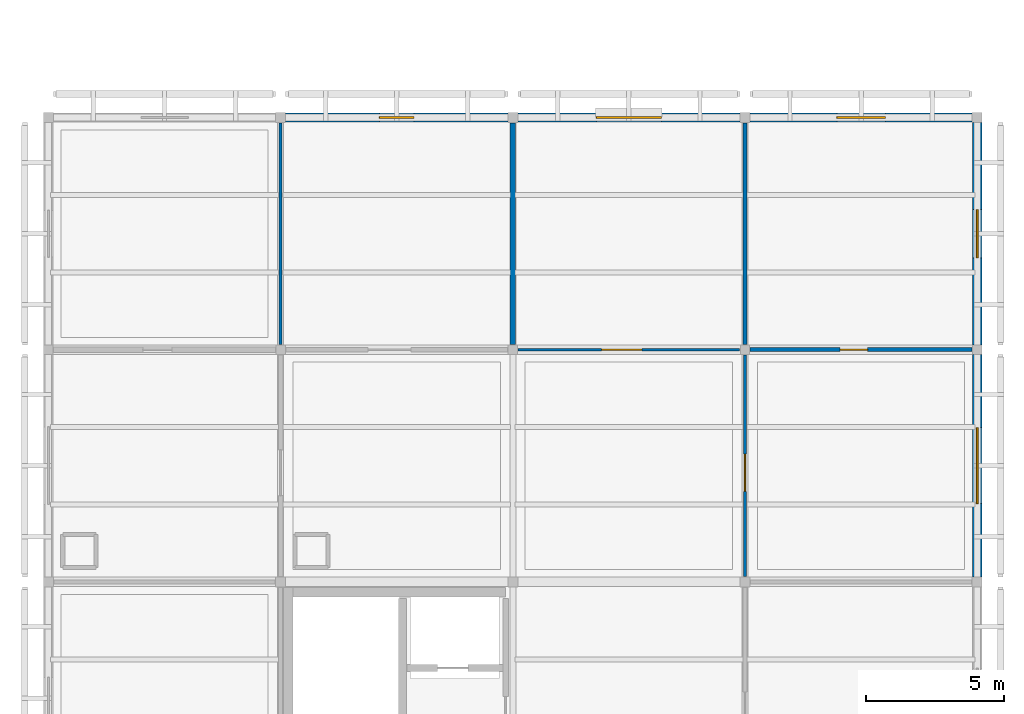
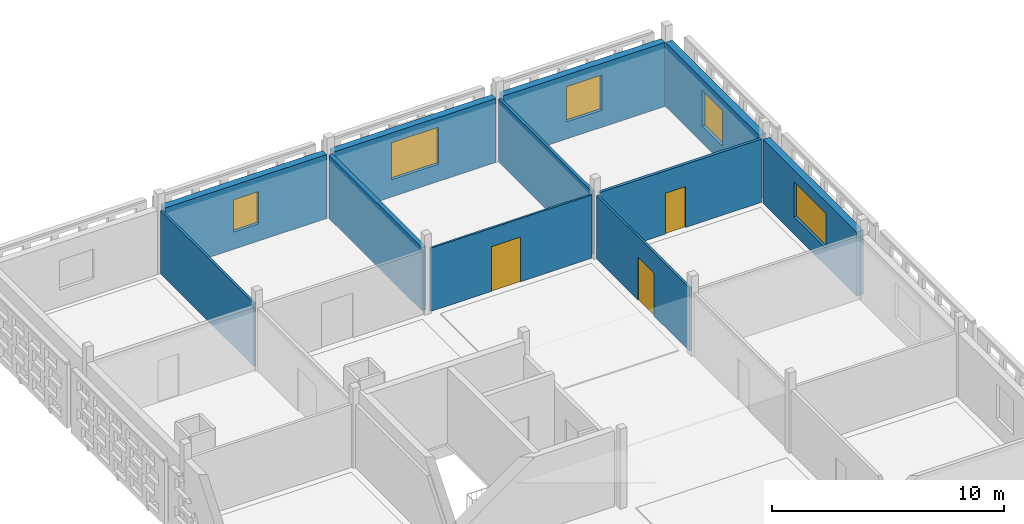
# One storey, part 76 of 103: 11 walls, 5 windows, 3 doors, 8 openings.
"""IFC4 building model written with IfcOpenShell, lengths in metres."""

from ifc_helpers import new_model, si_unit, direction, frame, frame_2d, origin, place, context, subcontext, project, spatial, rectangle, extrude, material, layer, layer_set, type_object, element, fill, save


model = new_model("IFC4")

# Units and contexts
model_context = context("Model", 3, precision=1e-05, world=origin(), true_north=direction((0.0, 1.0)))
body_context = subcontext(model_context, "Body", "Model", "MODEL_VIEW")
ifc_project = project(units=[si_unit("LENGTHUNIT", "METRE"), si_unit("AREAUNIT", "SQUARE_METRE"), si_unit("VOLUMEUNIT", "CUBIC_METRE"), si_unit("PLANEANGLEUNIT", "RADIAN"), si_unit("MASSUNIT", "GRAM", prefix="KILO")], contexts=[model_context])

# Site, building, storey
site_placement = place(None, origin())
site = spatial("IfcSite", under=ifc_project, at=site_placement, CompositionType="ELEMENT")
building_placement = place(site_placement, origin())
building = spatial("IfcBuilding", under=site, at=building_placement, Name="Varnapada Polytechnic", CompositionType="ELEMENT")
storey_placement = place(building_placement, frame((0.0, 0.0, 18.0)))
storey = spatial("IfcBuildingStorey", under=building, at=storey_placement, Name="L04", CompositionType="ELEMENT", Elevation=18.0)

# Wall, opening, door
ifc_material_1 = material(Name="Glazed Timber-Framed Studio Screen", Category="wood")
ifc_layer_1 = layer(ifc_material_1, 0.110107421875)
ifc_layer_set_1 = layer_set([ifc_layer_1], Name="Glazed Timber-Framed Studio Screen")
wall_type_1 = type_object("IfcWallType", Name="Interior Wall IW-07", PredefinedType="PARTITIONING", material=ifc_layer_set_1)
wall_1_placement = place(storey_placement, frame((168.0, 101.0, 0.0), z_axis=(0.0, 0.0, 1.0), x_axis=(0.0, 1.0, 0.0)))
wall_1 = element("IfcWall", 1, at=wall_1_placement, inside=storey, type_object=wall_type_1, Name="L04 interior partition IW-L04-19-12-V", PredefinedType="PARTITIONING", context=body_context, shape_type="SweptSolid", body=[
    extrude(rectangle(XDim=8.010009765625, YDim=0.110107421875, at=frame_2d((4.0048828125, 0.0))), origin(), (0.0, 0.0, 1.0), 3.320068359375),
])
opening_1_placement = place(wall_1_placement, frame((3.074951171875, 0.0, 0.0)))
opening_1 = element("IfcOpeningElement", 2, at=opening_1_placement, cuts=wall_1, Name="Opening D-1307", PredefinedType="OPENING", context=body_context, shape_type="SweptSolid", body=[
    extrude(rectangle(XDim=1.35009765625, YDim=2.25, at=frame_2d((0.675048828125, 1.125))), frame((0.0, 0.06494140625, 0.0), z_axis=(0.0, -1.0, 0.0), x_axis=(1.0, 0.0, 0.0)), (0.0, 0.0, 1.0), 0.130126953125),
])
ifc_material_2 = material(Name="Powder-Coated Aluminium 6063-T6", Category="aluminium")
door_type_1 = type_object("IfcDoorType", Name="Interior Door ID-17", OperationType="NOTDEFINED", PredefinedType="DOOR", material=ifc_material_2)
door_1_placement = place(opening_1_placement, frame((1.35009765625, 0.0, 0.0), z_axis=(0.0, 0.0, 1.0), x_axis=(-1.0, 0.0, 0.0)))
door_1 = element("IfcDoor", 3, at=door_1_placement, inside=storey, type_object=door_type_1, Name="L04 interior room door D-1307", OperationType="SINGLE_SWING_RIGHT", OverallHeight=2.25, OverallWidth=1.35009765625, PredefinedType="DOOR", context=body_context, shape_type="SweptSolid", body=[
    extrude(rectangle(XDim=1.35009765625, YDim=2.25, at=frame_2d((0.675048828125, 1.125))), frame((0.0, 0.02490234375, 0.0), z_axis=(0.0, -1.0, 0.0), x_axis=(1.0, 0.0, 0.0)), (0.0, 0.0, 1.0), 0.050048828125),
])
fill(opening_1, door_1)

ifc_material_3 = material(Name="Operable Acoustic Seminar Partition")
ifc_layer_2 = layer(ifc_material_3, 0.10009765625)
ifc_layer_set_2 = layer_set([ifc_layer_2], Name="Operable Acoustic Seminar Partition")
wall_type_2 = type_object("IfcWallType", Name="Interior Wall IW-08", PredefinedType="MOVABLE", material=ifc_layer_set_2)
wall_2_placement = place(storey_placement, frame((159.7900390625, 109.199951171875, 0.0), z_axis=(0.0, 0.0, 1.0), x_axis=(1.0, 0.0, 0.0)))
wall_2 = element("IfcWall", 4, at=wall_2_placement, inside=storey, type_object=wall_type_2, Name="L04 interior partition IW-L04-19-12-H", PredefinedType="MOVABLE", context=body_context, shape_type="SweptSolid", body=[
    extrude(rectangle(XDim=8.02001953125, YDim=0.10009765625, at=frame_2d((4.010009765625, 0.0))), origin(), (0.0, 0.0, 1.0), 3.320068359375),
])
opening_2_placement = place(wall_2_placement, frame((3.02490234375, 0.0, 0.0)))
opening_2 = element("IfcOpeningElement", 5, at=opening_2_placement, cuts=wall_2, Name="Opening D-1308", PredefinedType="OPENING", context=body_context, shape_type="SweptSolid", body=[
    extrude(rectangle(XDim=1.449951171875, YDim=2.35009765625, at=frame_2d((0.72509765625, 1.175048828125))), frame((0.0, 0.06005859375, 0.0), z_axis=(0.0, -1.0, 0.0), x_axis=(1.0, 0.0, 0.0)), (0.0, 0.0, 1.0), 0.1201171875),
])
ifc_material_4 = material(Name="Galvanized Steel Z275", Category="steel")
door_type_2 = type_object("IfcDoorType", Name="Interior Door ID-18", OperationType="NOTDEFINED", PredefinedType="DOOR", material=ifc_material_4)
door_2_placement = place(opening_2_placement, origin())
door_2 = element("IfcDoor", 6, at=door_2_placement, inside=storey, type_object=door_type_2, Name="L04 interior room door D-1308", OperationType="SINGLE_SWING_LEFT", OverallHeight=2.35009765625, OverallWidth=1.449951171875, PredefinedType="DOOR", context=body_context, shape_type="SweptSolid", body=[
    extrude(rectangle(XDim=1.449951171875, YDim=2.35009765625, at=frame_2d((0.72509765625, 1.175048828125))), frame((0.0, 0.02490234375, 0.0), z_axis=(0.0, -1.0, 0.0), x_axis=(1.0, 0.0, 0.0)), (0.0, 0.0, 1.0), 0.050048828125),
])
fill(opening_2, door_2)

# Walls
ifc_material_5 = material(Name="Calcium Silicate Acoustic Lab Partition")
ifc_layer_3 = layer(ifc_material_5, 0.135009765625)
ifc_layer_set_3 = layer_set([ifc_layer_3], Name="Calcium Silicate Acoustic Lab Partition")
wall_type_3 = type_object("IfcWallType", Name="Interior Wall IW-09", PredefinedType="PARTITIONING", material=ifc_layer_set_3)
wall_3_placement = place(storey_placement, frame((168.0, 109.389892578125, 0.0), z_axis=(0.0, 0.0, 1.0), x_axis=(0.0, 1.0, 0.0)))
element("IfcWall", 7, at=wall_3_placement, inside=storey, type_object=wall_type_3, Name="L04 interior partition IW-L04-19-13-V", PredefinedType="PARTITIONING", context=body_context, shape_type="SweptSolid", body=[
    extrude(rectangle(XDim=8.010009765625, YDim=0.135009765625, at=frame_2d((4.0048828125, 0.0))), origin(), (0.0, 0.0, 1.0), 3.320068359375),
])
ifc_material_6 = material(Name="Timber-Stud Studio Critique Partition", Category="wood")
ifc_layer_4 = layer(ifc_material_6, 0.114990234375)
ifc_layer_set_4 = layer_set([ifc_layer_4], Name="Timber-Stud Studio Critique Partition")
wall_type_4 = type_object("IfcWallType", Name="Interior Wall IW-12", PredefinedType="PARTITIONING", material=ifc_layer_set_4)
wall_4_placement = place(storey_placement, frame((151.199951171875, 109.389892578125, 0.0), z_axis=(0.0, 0.0, 1.0), x_axis=(0.0, 1.0, 0.0)))
element("IfcWall", 8, at=wall_4_placement, inside=storey, type_object=wall_type_4, Name="L04 interior partition IW-L04-17-13-V", PredefinedType="PARTITIONING", context=body_context, shape_type="SweptSolid", body=[
    extrude(rectangle(XDim=8.010009765625, YDim=0.114990234375, at=frame_2d((4.0048828125, 0.0))), origin(), (0.0, 0.0, 1.0), 3.320068359375),
])

# Wall, opening, door
ifc_material_7 = material(Name="Ceramic-Tiled Wet Laboratory Wall")
ifc_layer_5 = layer(ifc_material_7, 0.14501953125)
ifc_layer_set_5 = layer_set([ifc_layer_5], Name="Ceramic-Tiled Wet Laboratory Wall")
wall_type_5 = type_object("IfcWallType", Name="Interior Wall IW-14", PredefinedType="PARTITIONING", material=ifc_layer_set_5)
wall_5_placement = place(storey_placement, frame((168.18994140625, 109.199951171875, 0.0), z_axis=(0.0, 0.0, 1.0), x_axis=(1.0, 0.0, 0.0)))
wall_5 = element("IfcWall", 9, at=wall_5_placement, inside=storey, type_object=wall_type_5, Name="L04 interior partition IW-L04-20-12-H", PredefinedType="PARTITIONING", context=body_context, shape_type="SweptSolid", body=[
    extrude(rectangle(XDim=8.02001953125, YDim=0.14501953125, at=frame_2d((4.010009765625, 0.0))), origin(), (0.0, 0.0, 1.0), 3.320068359375),
])
opening_3_placement = place(wall_5_placement, frame((3.25, 0.0, 0.0)))
opening_3 = element("IfcOpeningElement", 10, at=opening_3_placement, cuts=wall_5, Name="Opening D-1309", PredefinedType="OPENING", context=body_context, shape_type="SweptSolid", body=[
    extrude(rectangle(XDim=1.0, YDim=2.14990234375, at=frame_2d((0.5, 1.074951171875))), frame((0.0, 0.08251953125, 0.0), z_axis=(0.0, -1.0, 0.0), x_axis=(1.0, 0.0, 0.0)), (0.0, 0.0, 1.0), 0.1650390625),
])
ifc_material_8 = material(Name="Solid Teak Hardwood Timber", Category="wood")
door_type_3 = type_object("IfcDoorType", Name="Interior Door ID-02", OperationType="NOTDEFINED", PredefinedType="DOOR", material=ifc_material_8)
door_3_placement = place(opening_3_placement, origin())
door_3 = element("IfcDoor", 11, at=door_3_placement, inside=storey, type_object=door_type_3, Name="L04 interior room door D-1309", OperationType="SINGLE_SWING_RIGHT", OverallHeight=2.14990234375, OverallWidth=1.0, PredefinedType="DOOR", context=body_context, shape_type="SweptSolid", body=[
    extrude(rectangle(XDim=1.0, YDim=2.14990234375, at=frame_2d((0.5, 1.074951171875))), frame((0.0, 0.02490234375, 0.0), z_axis=(0.0, -1.0, 0.0), x_axis=(1.0, 0.0, 0.0)), (0.0, 0.0, 1.0), 0.050048828125),
])
fill(opening_3, door_3)

# Wall
ifc_material_9 = material(Name="Heavy Masonry Workshop Partition", Category="masonry")
ifc_layer_6 = layer(ifc_material_9, 0.2099609375)
ifc_layer_set_6 = layer_set([ifc_layer_6], Name="Heavy Masonry Workshop Partition")
wall_type_6 = type_object("IfcWallType", Name="Interior Wall IW-16", PredefinedType="PARTITIONING", material=ifc_layer_set_6)
wall_6_placement = place(storey_placement, frame((159.60009765625, 109.389892578125, 0.0), z_axis=(0.0, 0.0, 1.0), x_axis=(0.0, 1.0, 0.0)))
element("IfcWall", 12, at=wall_6_placement, inside=storey, type_object=wall_type_6, Name="L04 interior partition IW-L04-18-13-V", PredefinedType="PARTITIONING", context=body_context, shape_type="SweptSolid", body=[
    extrude(rectangle(XDim=8.010009765625, YDim=0.2099609375, at=frame_2d((4.0048828125, 0.0))), origin(), (0.0, 0.0, 1.0), 3.320068359375),
])

# Wall, opening, window
ifc_material_10 = material(Name="Precast concrete C40/50", Category="concrete")
ifc_layer_7 = layer(ifc_material_10, 0.340087890625)
ifc_layer_set_7 = layer_set([ifc_layer_7], Name="Precast concrete C40/50")
wall_type_7 = type_object("IfcWallType", Name="Wall EW-07", PredefinedType="SOLIDWALL", material=ifc_layer_set_7)
wall_7_placement = place(storey_placement, frame((151.3798828125, 117.60009765625, 0.0), z_axis=(0.0, 0.0, 1.0), x_axis=(1.0, 0.0, 0.0)))
wall_7 = element("IfcWall", 13, at=wall_7_placement, inside=storey, type_object=wall_type_7, Name="L04 exterior wall EW-07 (50)", PredefinedType="SOLIDWALL", context=body_context, shape_type="SweptSolid", body=[
    extrude(rectangle(XDim=8.0400390625, YDim=0.340087890625, at=frame_2d((4.02001953125, 0.0))), origin(), (0.0, 0.0, 1.0), 3.360107421875),
])
opening_4_placement = place(wall_7_placement, frame((3.39501953125, 0.0, 0.89990234375)))
opening_4 = element("IfcOpeningElement", 14, at=opening_4_placement, cuts=wall_7, Name="Opening WN-21", PredefinedType="OPENING", context=body_context, shape_type="SweptSolid", body=[
    extrude(rectangle(XDim=1.25, YDim=1.699951171875, at=frame_2d((0.625, 0.85009765625))), frame((0.0, 0.179931640625, 0.0), z_axis=(0.0, -1.0, 0.0), x_axis=(1.0, 0.0, 0.0)), (0.0, 0.0, 1.0), 0.360107421875),
])
ifc_material_11 = material(Name="Double low-E laminated glass", Category="glass")
window_type_1 = type_object("IfcWindowType", Name="Window WN-21", PartitioningType="SINGLE_PANEL", PredefinedType="WINDOW", material=ifc_material_11)
window_1_placement = place(opening_4_placement, origin())
window_1 = element("IfcWindow", 15, at=window_1_placement, inside=storey, type_object=window_type_1, Name="L04 window WN-21 (222)", OverallHeight=1.699951171875, OverallWidth=1.25, PartitioningType="SINGLE_PANEL", PredefinedType="WINDOW", context=body_context, shape_type="SweptSolid", body=[
    extrude(rectangle(XDim=1.25, YDim=1.699951171875, at=frame_2d((0.625, 0.85009765625))), frame((0.0, 0.030029296875, 0.0), z_axis=(0.0, -1.0, 0.0), x_axis=(1.0, 0.0, 0.0)), (0.0, 0.0, 1.0), 0.06005859375),
])
fill(opening_4, window_1)

wall_8_placement = place(storey_placement, frame((159.780029296875, 117.60009765625, 0.0), z_axis=(0.0, 0.0, 1.0), x_axis=(1.0, 0.0, 0.0)))
wall_8 = element("IfcWall", 16, at=wall_8_placement, inside=storey, type_object=wall_type_7, Name="L04 exterior wall EW-07 (52)", PredefinedType="SOLIDWALL", context=body_context, shape_type="SweptSolid", body=[
    extrude(rectangle(XDim=8.0400390625, YDim=0.340087890625, at=frame_2d((4.02001953125, 0.0))), origin(), (0.0, 0.0, 1.0), 3.360107421875),
])
opening_5_placement = place(wall_8_placement, frame((2.844970703125, 0.0, 0.89990234375)))
opening_5 = element("IfcOpeningElement", 17, at=opening_5_placement, cuts=wall_8, Name="Opening WN-26", PredefinedType="OPENING", context=body_context, shape_type="SweptSolid", body=[
    extrude(rectangle(XDim=2.35009765625, YDim=1.949951171875, at=frame_2d((1.175048828125, 0.97509765625))), frame((0.0, 0.179931640625, 0.0), z_axis=(0.0, -1.0, 0.0), x_axis=(1.0, 0.0, 0.0)), (0.0, 0.0, 1.0), 0.360107421875),
])
window_type_2 = type_object("IfcWindowType", Name="Window WN-26", PartitioningType="SINGLE_PANEL", PredefinedType="WINDOW", material=ifc_material_11)
window_2_placement = place(opening_5_placement, origin())
window_2 = element("IfcWindow", 18, at=window_2_placement, inside=storey, type_object=window_type_2, Name="L04 window WN-26 (223)", OverallHeight=1.949951171875, OverallWidth=2.35009765625, PartitioningType="SINGLE_PANEL", PredefinedType="WINDOW", context=body_context, shape_type="SweptSolid", body=[
    extrude(rectangle(XDim=2.35009765625, YDim=1.949951171875, at=frame_2d((1.175048828125, 0.97509765625))), frame((0.0, 0.030029296875, 0.0), z_axis=(0.0, -1.0, 0.0), x_axis=(1.0, 0.0, 0.0)), (0.0, 0.0, 1.0), 0.06005859375),
])
fill(opening_5, window_2)

wall_9_placement = place(storey_placement, frame((176.39990234375, 109.030029296875, 0.0), z_axis=(0.0, 0.0, 1.0), x_axis=(0.0, -1.0, 0.0)))
wall_9 = element("IfcWall", 19, at=wall_9_placement, inside=storey, type_object=wall_type_7, Name="L04 exterior wall EW-07 (58)", PredefinedType="SOLIDWALL", context=body_context, shape_type="SweptSolid", body=[
    extrude(rectangle(XDim=8.050048828125, YDim=0.340087890625, at=frame_2d((4.02490234375, 0.0))), origin(), (0.0, 0.0, 1.0), 3.360107421875),
])
opening_6_placement = place(wall_9_placement, frame((2.64990234375, 0.0, 0.89990234375)))
opening_6 = element("IfcOpeningElement", 20, at=opening_6_placement, cuts=wall_9, Name="Opening WN-28", PredefinedType="OPENING", context=body_context, shape_type="SweptSolid", body=[
    extrude(rectangle(XDim=2.75, YDim=1.85009765625, at=frame_2d((1.375, 0.925048828125))), frame((0.0, 0.179931640625, 0.0), z_axis=(0.0, -1.0, 0.0), x_axis=(1.0, 0.0, 0.0)), (0.0, 0.0, 1.0), 0.360107421875),
])
window_type_3 = type_object("IfcWindowType", Name="Window WN-28", PartitioningType="SINGLE_PANEL", PredefinedType="WINDOW", material=ifc_material_11)
window_3_placement = place(opening_6_placement, origin())
window_3 = element("IfcWindow", 21, at=window_3_placement, inside=storey, type_object=window_type_3, Name="L04 window WN-28 (228)", OverallHeight=1.85009765625, OverallWidth=2.75, PartitioningType="SINGLE_PANEL", PredefinedType="WINDOW", context=body_context, shape_type="SweptSolid", body=[
    extrude(rectangle(XDim=2.75, YDim=1.85009765625, at=frame_2d((1.375, 0.925048828125))), frame((0.0, 0.030029296875, 0.0), z_axis=(0.0, -1.0, 0.0), x_axis=(1.0, 0.0, 0.0)), (0.0, 0.0, 1.0), 0.06005859375),
])
fill(opening_6, window_3)

wall_10_placement = place(storey_placement, frame((168.179931640625, 117.60009765625, 0.0), z_axis=(0.0, 0.0, 1.0), x_axis=(1.0, 0.0, 0.0)))
wall_10 = element("IfcWall", 22, at=wall_10_placement, inside=storey, type_object=wall_type_7, Name="L04 exterior wall EW-07 (59)", PredefinedType="SOLIDWALL", context=body_context, shape_type="SweptSolid", body=[
    extrude(rectangle(XDim=8.0400390625, YDim=0.340087890625, at=frame_2d((4.02001953125, 0.0))), origin(), (0.0, 0.0, 1.0), 3.360107421875),
])
opening_7_placement = place(wall_10_placement, frame((3.14501953125, 0.0, 0.89990234375)))
opening_7 = element("IfcOpeningElement", 23, at=opening_7_placement, cuts=wall_10, Name="Opening WN-31", PredefinedType="OPENING", context=body_context, shape_type="SweptSolid", body=[
    extrude(rectangle(XDim=1.75, YDim=1.85009765625, at=frame_2d((0.875, 0.925048828125))), frame((0.0, 0.179931640625, 0.0), z_axis=(0.0, -1.0, 0.0), x_axis=(1.0, 0.0, 0.0)), (0.0, 0.0, 1.0), 0.360107421875),
])
window_type_4 = type_object("IfcWindowType", Name="Window WN-31", PartitioningType="SINGLE_PANEL", PredefinedType="WINDOW", material=ifc_material_11)
window_4_placement = place(opening_7_placement, origin())
window_4 = element("IfcWindow", 24, at=window_4_placement, inside=storey, type_object=window_type_4, Name="L04 window WN-31 (229)", OverallHeight=1.85009765625, OverallWidth=1.75, PartitioningType="SINGLE_PANEL", PredefinedType="WINDOW", context=body_context, shape_type="SweptSolid", body=[
    extrude(rectangle(XDim=1.75, YDim=1.85009765625, at=frame_2d((0.875, 0.925048828125))), frame((0.0, 0.030029296875, 0.0), z_axis=(0.0, -1.0, 0.0), x_axis=(1.0, 0.0, 0.0)), (0.0, 0.0, 1.0), 0.06005859375),
])
fill(opening_7, window_4)

wall_11_placement = place(storey_placement, frame((176.39990234375, 117.419921875, 0.0), z_axis=(0.0, 0.0, 1.0), x_axis=(0.0, -1.0, 0.0)))
wall_11 = element("IfcWall", 25, at=wall_11_placement, inside=storey, type_object=wall_type_7, Name="L04 exterior wall EW-07 (60)", PredefinedType="SOLIDWALL", context=body_context, shape_type="SweptSolid", body=[
    extrude(rectangle(XDim=8.0498046875, YDim=0.340087890625, at=frame_2d((4.02490234375, 0.0))), origin(), (0.0, 0.0, 1.0), 3.360107421875),
])
opening_8_placement = place(wall_11_placement, frame((3.14990234375, 0.0, 0.89990234375)))
opening_8 = element("IfcOpeningElement", 26, at=opening_8_placement, cuts=wall_11, Name="Opening WN-31", PredefinedType="OPENING", context=body_context, shape_type="SweptSolid", body=[
    extrude(rectangle(XDim=1.75, YDim=1.85009765625, at=frame_2d((0.875, 0.925048828125))), frame((0.0, 0.179931640625, 0.0), z_axis=(0.0, -1.0, 0.0), x_axis=(1.0, 0.0, 0.0)), (0.0, 0.0, 1.0), 0.360107421875),
])
window_5_placement = place(opening_8_placement, origin())
window_5 = element("IfcWindow", 27, at=window_5_placement, inside=storey, type_object=window_type_4, Name="L04 window WN-31 (230)", OverallHeight=1.85009765625, OverallWidth=1.75, PartitioningType="SINGLE_PANEL", PredefinedType="WINDOW", context=body_context, shape_type="SweptSolid", body=[
    extrude(rectangle(XDim=1.75, YDim=1.85009765625, at=frame_2d((0.875, 0.925048828125))), frame((0.0, 0.030029296875, 0.0), z_axis=(0.0, -1.0, 0.0), x_axis=(1.0, 0.0, 0.0)), (0.0, 0.0, 1.0), 0.06005859375),
])
fill(opening_8, window_5)

save(model, "model.ifc")
